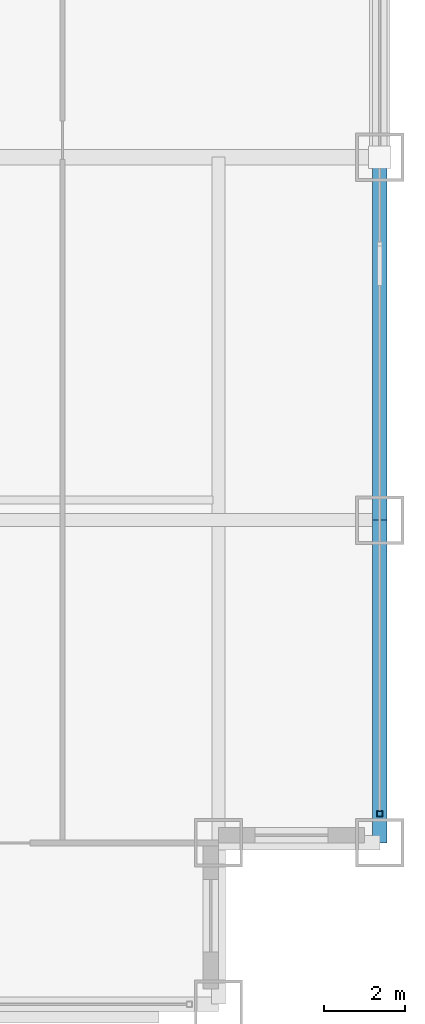
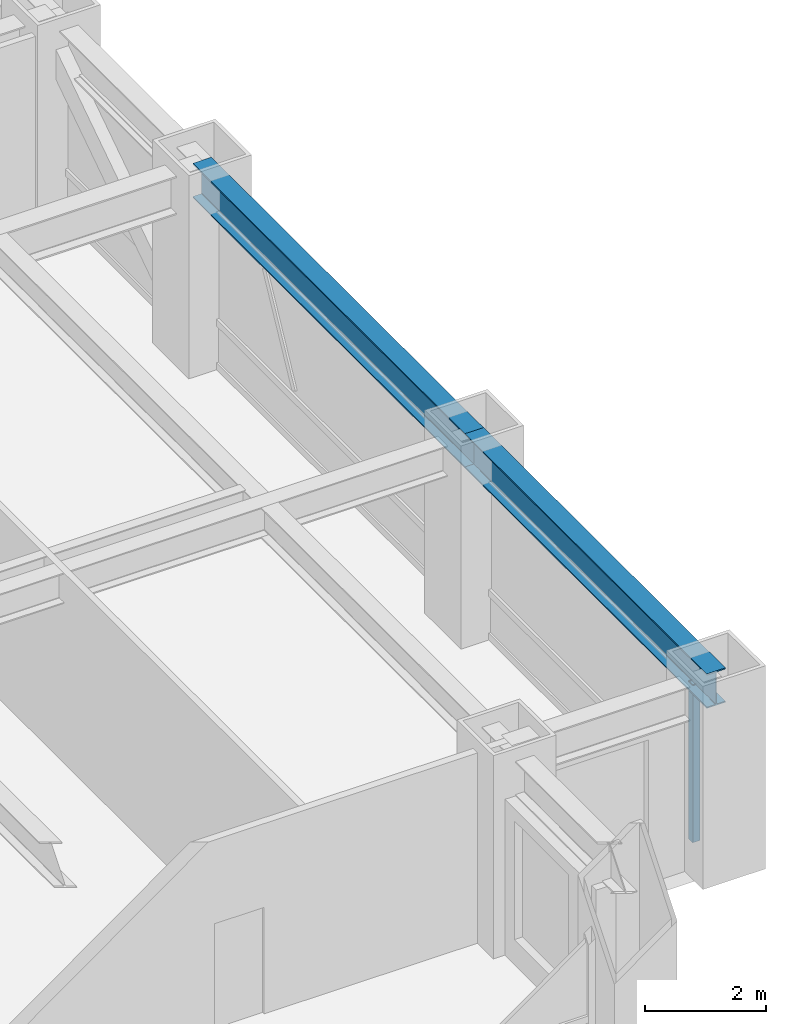
# One storey, part 12 of 32: 2 beams, 1 member, 1 element without a shape of its own.
"""IFC4 building model written with IfcOpenShell, lengths in metres."""

from ifc_helpers import new_model, si_unit, direction, frame, origin, origin_2d, place, context, subcontext, project, spatial, hollow_rectangle, i_section, extrude, source, transform, mapped, material, material_profile, profile_set, type_object, element, aggregate, save


model = new_model("IFC4")

# Units and contexts
model_context = context("Model", 3, precision=1e-05, world=origin(), true_north=direction((0.0, 1.0)))
body_context = subcontext(model_context, "Body", "Model", "MODEL_VIEW")
ifc_project = project(units=[si_unit("LENGTHUNIT", "METRE"), si_unit("AREAUNIT", "SQUARE_METRE"), si_unit("VOLUMEUNIT", "CUBIC_METRE"), si_unit("PLANEANGLEUNIT", "RADIAN"), si_unit("MASSUNIT", "GRAM", prefix="KILO")], contexts=[model_context])

# Site, building, storey
site_placement = place(None, origin())
site = spatial("IfcSite", under=ifc_project, at=site_placement, CompositionType="ELEMENT")
building_placement = place(site_placement, origin())
building = spatial("IfcBuilding", under=site, at=building_placement, Name="Khorayat Bourse Tower", CompositionType="ELEMENT")
storey_placement = place(building_placement, frame((0.0, 0.0, 136.5)))
storey = spatial("IfcBuildingStorey", under=building, at=storey_placement, Name="L31", CompositionType="ELEMENT", Elevation=136.5)

# Beams
ifc_material_1 = material(Name="Steel ASTM A992 Grade 50", Category="steel")
ifc_material_profile_1 = material_profile(ifc_material_1, i_section(OverallWidth=0.35498046875, OverallDepth=0.695068359375, WebThickness=0.015380859375, FlangeThickness=0.02490234375, FilletRadius=0.01806640625, at=origin_2d()), Name="W690X217")
ifc_profile_set_1 = profile_set([ifc_material_profile_1], Name="Steel ASTM A992 Grade 50")
beam_type = type_object("IfcBeamType", Name="BM-SPAN-690", PredefinedType="SPANDREL", material=ifc_profile_set_1)
shared_shape_1 = source(origin(), body_context, "Body", "SweptSolid", [
    extrude(i_section(OverallWidth=0.35498046875, OverallDepth=0.695068359375, WebThickness=0.015380859375, FlangeThickness=0.02490234375, FilletRadius=0.01806640625, at=origin_2d()), origin(), (0.0, 0.0, 1.0), 9.0),
])
beam_1_placement = place(storey_placement, frame((32.0, -20.0, 3.492431640625), z_axis=(0.0, 1.0, 0.0), x_axis=(-1.0, 0.0, 0.0)))
element("IfcBeam", 1, at=beam_1_placement, inside=storey, type_object=beam_type, Name="L31 BM-SPAN-690 BM-L31-SPN-035", PredefinedType="SPANDREL", context=body_context, shape_type="MappedRepresentation", body=[
    mapped(shared_shape_1, transform((0.0, 0.0, 0.0), scale=1.0)),
])
shared_shape_2 = source(origin(), body_context, "Body", "SweptSolid", [
    extrude(i_section(OverallWidth=0.35498046875, OverallDepth=0.695068359375, WebThickness=0.015380859375, FlangeThickness=0.02490234375, FilletRadius=0.01806640625, at=origin_2d()), origin(), (0.0, 0.0, 1.0), 8.0),
])
beam_2_placement = place(storey_placement, frame((32.0, -28.0, 3.492431640625), z_axis=(0.0, 1.0, 0.0), x_axis=(-1.0, 0.0, 0.0)))
element("IfcBeam", 2, at=beam_2_placement, inside=storey, type_object=beam_type, Name="L31 BM-SPAN-690 BM-L31-SPN-034", PredefinedType="SPANDREL", context=body_context, shape_type="MappedRepresentation", body=[
    mapped(shared_shape_2, transform((0.0, 0.0, 0.0), scale=1.0)),
])

# Curtain wall, member
ifc_material_2 = material(Name="Aluminium EN AW-6063 T6", Category="aluminium")
curtain_wall_type = type_object("IfcCurtainWallType", Name="CW-SYS-02", PredefinedType="NOTDEFINED", material=ifc_material_2)
curtain_wall_placement = place(storey_placement, origin())
curtain_wall = element("IfcCurtainWall", 3, at=curtain_wall_placement, inside=storey, type_object=curtain_wall_type, Name="L31 Curtain Wall CW-L31-E1", PredefinedType="NOTDEFINED")
ifc_material_profile_2 = material_profile(ifc_material_2, hollow_rectangle(XDim=0.139892578125, YDim=0.139892578125, WallThickness=0.006103515625, at=origin_2d()), Name="ALU 140x140x6")
ifc_profile_set_2 = profile_set([ifc_material_profile_2], Name="Aluminium EN AW-6063 T6")
member_type = type_object("IfcMemberType", Name="CWM-VERT-140", PredefinedType="MULLION", material=ifc_profile_set_2)
shared_shape_3 = source(origin(), body_context, "Body", "SweptSolid", [
    extrude(hollow_rectangle(XDim=0.139892578125, YDim=0.139892578125, WallThickness=0.006103515625, at=origin_2d()), origin(), (0.0, 0.0, 1.0), 3.18994140625),
])
member_placement = place(storey_placement, frame((32.0, -27.280029296875, 0.0), z_axis=(0.0, 0.0, 1.0), x_axis=(-1.0, 0.0, 0.0)))
member = element("IfcMember", 4, at=member_placement, type_object=member_type, Name="CW-L31-E1 Vertical Mullion 1", PredefinedType="MULLION", context=body_context, shape_type="MappedRepresentation", body=[
    mapped(shared_shape_3, transform((0.0, 0.0, 0.0), scale=1.0)),
])
aggregate(curtain_wall, [member])

save(model, "model.ifc")
